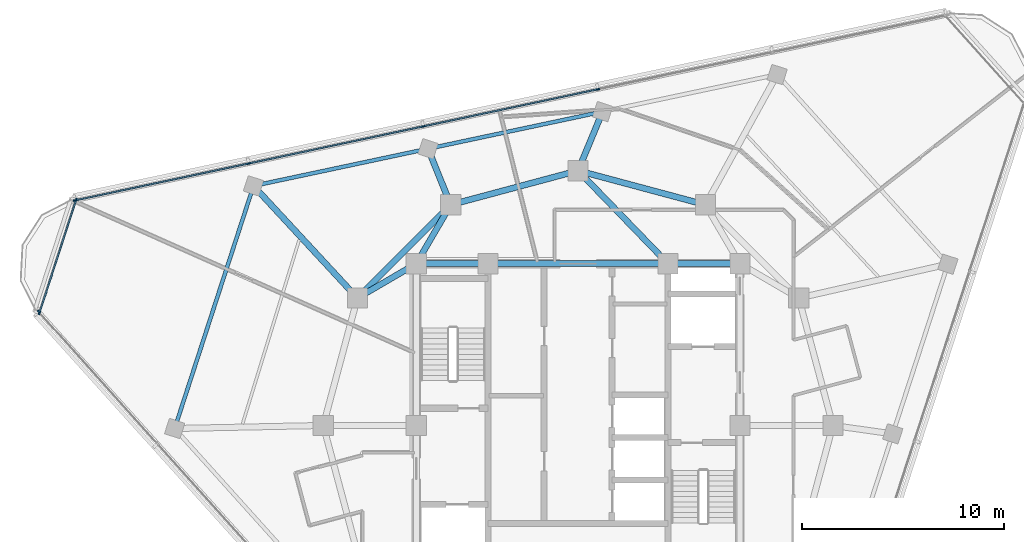
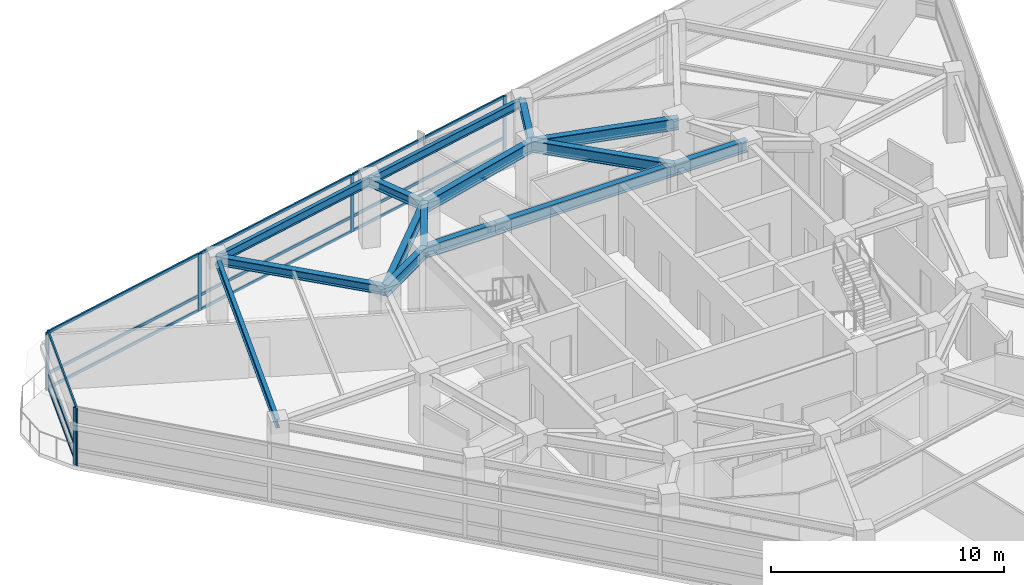
# One storey, part 5 of 15: 19 members, 15 beams, 3 elements without a shape of their own.
"""IFC4 building model written with IfcOpenShell, lengths in metres."""

import ifcopenshell
import ifcopenshell.guid

model = None  # the IFC model being written
_history = None  # IfcOwnerHistory: only IFC2X3 demands one
_inside = {}  # id of a spatial element -> (the spatial element, [elements in it])
_under = {}  # id of a project, library or spatial element -> (it, [spatial elements below it])
_declared = {}  # id of a project -> (the project, [libraries it declares])
_typed = {}  # id of a type object -> (the type object, [elements of that type])
_made_of = {}  # id of a material, layer set ... -> (it, [elements and type objects made of it])


def new_model(schema):
    """Start an empty IFC model of exactly this schema.

    Asked for "IFC4X3", IfcOpenShell would pick the latest addendum, in which some entities
    have other attributes; the version numbers below select the first issue.
    IFC2X3 requires an IfcOwnerHistory on every rooted entity: one is made here for all.
    """
    global model, _history
    if schema == "IFC4X3":
        model = ifcopenshell.file(schema_version=(4, 3, 0, 0))
    else:
        model = ifcopenshell.file(schema=schema)
    _inside.clear()
    _under.clear()
    _declared.clear()
    _typed.clear()
    _made_of.clear()
    _history = None
    if model.schema == "IFC2X3":
        org = make("IfcOrganization", Name="unknown")
        user = make(
            "IfcPersonAndOrganization",
            ThePerson=make("IfcPerson", FamilyName="unknown"),
            TheOrganization=org,
        )
        app = make(
            "IfcApplication",
            ApplicationDeveloper=org,
            Version="unknown",
            ApplicationFullName="unknown",
            ApplicationIdentifier="unknown",
        )
        _history = make(
            "IfcOwnerHistory",
            OwningUser=user,
            OwningApplication=app,
            ChangeAction="ADDED",
            CreationDate=0,
        )
    return model


def make(cls, **values):
    """One entity of the class cls with the attributes given. An attribute that is None is left unset."""
    return model.create_entity(
        cls, **{name: value for name, value in values.items() if value is not None}
    )


def rooted(cls, **values):
    """An entity with a GlobalId (a new one), such as an element, a storey or a relation."""
    return make(cls, GlobalId=ifcopenshell.guid.new(), OwnerHistory=_history, **values)


def si_unit(unit_type, name, prefix=None):
    """IfcSIUnit, for example si_unit("LENGTHUNIT", "METRE", prefix="MILLI")."""
    return make("IfcSIUnit", UnitType=unit_type, Prefix=prefix, Name=name)


def assignment(units):
    """IfcUnitAssignment: the units of a project."""
    return None if units is None else make("IfcUnitAssignment", Units=units)


def point(xyz):
    """IfcCartesianPoint."""
    return None if xyz is None else make("IfcCartesianPoint", Coordinates=xyz)


def direction(xyz):
    """IfcDirection."""
    return None if xyz is None else make("IfcDirection", DirectionRatios=xyz)


def frame(location, z_axis=None, x_axis=None):
    """IfcAxis2Placement3D, a coordinate frame: its origin and axes. An axis left out is left unset."""
    return make(
        "IfcAxis2Placement3D",
        Location=point(location),
        Axis=direction(z_axis),
        RefDirection=direction(x_axis),
    )


def frame_2d(location, x_axis=None):
    """IfcAxis2Placement2D, a coordinate frame in the plane: its origin and x axis."""
    return make(
        "IfcAxis2Placement2D", Location=point(location), RefDirection=direction(x_axis)
    )


def origin():
    """The frame at (0, 0, 0) with its axes left unset."""
    return frame((0.0, 0.0, 0.0))


def origin_2d():
    """The frame at (0, 0) in the plane with its x axis left unset."""
    return frame_2d((0.0, 0.0))


def place(relative_to, where):
    """IfcLocalPlacement: puts the frame where relative to a parent placement (None: the world)."""
    return make(
        "IfcLocalPlacement", PlacementRelTo=relative_to, RelativePlacement=where
    )


def context(
    kind, dimensions, precision=None, world=None, true_north=None, identifier=None
):
    """IfcGeometricRepresentationContext, for example the 3D "Model" context."""
    return make(
        "IfcGeometricRepresentationContext",
        ContextIdentifier=identifier,
        ContextType=kind,
        CoordinateSpaceDimension=dimensions,
        Precision=precision,
        WorldCoordinateSystem=world,
        TrueNorth=true_north,
    )


def subcontext(parent, identifier, kind, view, scale=None):
    """IfcGeometricRepresentationSubContext, for example "Body" below "Model"."""
    return make(
        "IfcGeometricRepresentationSubContext",
        ContextIdentifier=identifier,
        ContextType=kind,
        ParentContext=parent,
        TargetScale=scale,
        TargetView=view,
    )


def project(units=None, contexts=None):
    """IfcProject with its units and contexts."""
    return rooted(
        "IfcProject",
        Name="project",
        RepresentationContexts=contexts,
        UnitsInContext=assignment(units),
    )


def spatial(cls, under=None, at=None, **own):
    """A site, building, storey or space (cls), placed at a placement, below another one or the project."""
    s = rooted(cls, ObjectPlacement=at, **own)
    if under is not None:
        _under.setdefault(under.id(), (under, []))[1].append(s)
    return s


def profile(cls, at=None, kind="AREA", **sizes):
    """A parametric profile (cls). Its sizes go by their IFC names, for example OverallWidth=200.0."""
    return make(cls, ProfileType=kind, Position=at, **sizes)


def rectangle(**sizes):
    """IfcRectangleProfileDef."""
    return profile("IfcRectangleProfileDef", **sizes)


def i_section(**sizes):
    """IfcIShapeProfileDef."""
    return profile("IfcIShapeProfileDef", **sizes)


def extrude(swept, where, along, depth):
    """IfcExtrudedAreaSolid: the profile swept, set in the frame where, extruded along a direction by depth."""
    return make(
        "IfcExtrudedAreaSolid",
        SweptArea=swept,
        Position=where,
        ExtrudedDirection=direction(along),
        Depth=depth,
    )


def shape(context_of_items, identifier, shape_type, items):
    """IfcShapeRepresentation: the items that make up one representation, for example the "Body"."""
    return make(
        "IfcShapeRepresentation",
        ContextOfItems=context_of_items,
        RepresentationIdentifier=identifier,
        RepresentationType=shape_type,
        Items=items,
    )


def material(Name=None, Category=None):
    """IfcMaterial."""
    return make("IfcMaterial", Name=Name, Category=Category)


def layer(
    of_material, thickness, ventilated=None, Name=None, Category=None, Priority=None
):
    """IfcMaterialLayer: one layer of a wall or slab, of a material (None: an air gap)."""
    return make(
        "IfcMaterialLayer",
        Material=of_material,
        LayerThickness=thickness,
        IsVentilated=ventilated,
        Name=Name,
        Category=Category,
        Priority=Priority,
    )


def layer_set(layers, Name=None):
    """IfcMaterialLayerSet."""
    return make("IfcMaterialLayerSet", MaterialLayers=layers, LayerSetName=Name)


def material_profile(
    of_material, cross_section, Name=None, Category=None, Priority=None
):
    """IfcMaterialProfile: a cross section and its material."""
    return make(
        "IfcMaterialProfile",
        Name=Name,
        Material=of_material,
        Profile=cross_section,
        Priority=Priority,
        Category=Category,
    )


def profile_set(profiles, Name=None, composite=None):
    """IfcMaterialProfileSet."""
    return make(
        "IfcMaterialProfileSet",
        Name=Name,
        MaterialProfiles=profiles,
        CompositeProfile=composite,
    )


def made_of(thing, what):
    """Note that an element or type object is made of a material, layer set ...; save() writes the relation."""
    if what is not None:
        _made_of.setdefault(what.id(), (what, []))[1].append(thing)
    return thing


def type_object(cls, material=None, **own):
    """A type object (cls), such as IfcWallType, which elements share."""
    return made_of(rooted(cls, **own), material)


def element(
    cls,
    number,
    at=None,
    inside=None,
    cuts=None,
    type_object=None,
    material=None,
    context=None,
    identifier="Body",
    shape_type=None,
    held_by="IfcProductDefinitionShape",
    body=None,
    shapes=None,
    **own,
):
    """One element of the class cls, such as IfcWall. Its Tag is "e" and its number.

    at: its placement. inside: the storey or other place that contains it. cuts: it is an
    opening in that element (IfcRelVoidsElement). A single representation is given by context,
    identifier, shape_type and body (its items); several are given by shapes. held_by: the class
    of the entity that holds the representations. save() writes the other relations.
    """
    e = rooted(cls, Tag="e%d" % number, ObjectPlacement=at, **own)
    if body is not None:
        shapes = [shape(context, identifier, shape_type, body)]
    if shapes is not None:
        e.Representation = make(held_by, Representations=shapes)
    if inside is not None:
        _inside.setdefault(inside.id(), (inside, []))[1].append(e)
    if cuts is not None:
        rooted(
            "IfcRelVoidsElement", RelatingBuildingElement=cuts, RelatedOpeningElement=e
        )
    if type_object is not None:
        _typed.setdefault(type_object.id(), (type_object, []))[1].append(e)
    return made_of(e, material)


def aggregate(whole, parts):
    """IfcRelAggregates: a whole, such as a stair, and the parts it consists of."""
    return rooted("IfcRelAggregates", RelatingObject=whole, RelatedObjects=parts)


def save(model, path):
    """Write the relations noted so far, then the file.

    IfcRelAggregates (storeys below a building ...), IfcRelContainedInSpatialStructure (elements
    in a storey), IfcRelDefinesByType, IfcRelAssociatesMaterial and IfcRelDeclares: one each for
    every whole, place, type object, material and project.
    """
    for whole, parts in _under.values():
        aggregate(whole, parts)
    for where, things in _inside.values():
        rooted(
            "IfcRelContainedInSpatialStructure",
            RelatedElements=things,
            RelatingStructure=where,
        )
    for kind, things in _typed.values():
        rooted("IfcRelDefinesByType", RelatedObjects=things, RelatingType=kind)
    for what, things in _made_of.values():
        rooted("IfcRelAssociatesMaterial", RelatedObjects=things, RelatingMaterial=what)
    for by, libraries in _declared.values():
        rooted("IfcRelDeclares", RelatingContext=by, RelatedDefinitions=libraries)
    model.write(path)


model = new_model("IFC4")

# Units and contexts
model_context = context("Model", 3, precision=1e-05, world=origin(), true_north=direction((0.0, 1.0)))
body_context = subcontext(model_context, "Body", "Model", "MODEL_VIEW")
ifc_project = project(units=[si_unit("LENGTHUNIT", "METRE"), si_unit("AREAUNIT", "SQUARE_METRE"), si_unit("VOLUMEUNIT", "CUBIC_METRE"), si_unit("PLANEANGLEUNIT", "RADIAN"), si_unit("MASSUNIT", "GRAM", prefix="KILO")], contexts=[model_context])

# Site, building, storey
site_placement = place(None, origin())
site = spatial("IfcSite", under=ifc_project, at=site_placement, CompositionType="ELEMENT")
building_placement = place(site_placement, origin())
building = spatial("IfcBuilding", under=site, at=building_placement, Name="Terralouvre Media Tower", CompositionType="ELEMENT")
storey_placement = place(building_placement, frame((0.0, 0.0, 286.89990234375)))
storey = spatial("IfcBuildingStorey", under=building, at=storey_placement, Name="L74", CompositionType="ELEMENT", Elevation=286.89990234375)

# Curtain wall, members
ifc_material_1 = material(Name="Low-iron laminated double glazing with solar-control coating", Category="glass")
ifc_layer_1 = layer(ifc_material_1, 0.1650390625, Name="Faceted Glass-Point Crown Curtain Wall CW-06")
ifc_layer_set_1 = layer_set([ifc_layer_1], Name="Low-iron laminated double glazing with solar-control coating")
curtain_wall_type_1 = type_object("IfcCurtainWallType", Name="Faceted Glass-Point Crown Curtain Wall CW-06", PredefinedType="NOTDEFINED", material=ifc_layer_set_1)
curtain_wall_1_placement = place(storey_placement, origin())
curtain_wall_1 = element("IfcCurtainWall", 1, at=curtain_wall_1_placement, inside=storey, type_object=curtain_wall_type_1, Name="L74 Facade Curtain Wall F1", PredefinedType="NOTDEFINED")
ifc_material_2 = material(Name="Anodised extruded aluminium 6063-T6", Category="aluminium")
ifc_material_profile_1 = material_profile(ifc_material_2, rectangle(XDim=0.074951171875, YDim=0.14990234375, at=origin_2d()), Name="ALU 75x150")
ifc_profile_set_1 = profile_set([ifc_material_profile_1], Name="Anodised extruded aluminium 6063-T6")
member_type_1 = type_object("IfcMemberType", Name="Curtain-Wall Horizontal Transom TR-150", PredefinedType="USERDEFINED", material=ifc_profile_set_1)
member_1_placement = place(storey_placement, frame((0.940673828125, 16.614990234375, 0.03759765625), z_axis=(-0.978146154485, -0.207918494767, 0.0), x_axis=(0.207918494767, -0.978146154485, 0.0)))
member_1 = element("IfcMember", 2, at=member_1_placement, type_object=member_type_1, Name="CW-06 transom 3.1", ObjectType="TRANSOM", PredefinedType="USERDEFINED", context=body_context, shape_type="SweptSolid", body=[
    extrude(rectangle(XDim=0.074951171875, YDim=0.14990234375, at=origin_2d()), origin(), (0.0, 0.0, 1.0), 8.7490234375),
])
member_2_placement = place(storey_placement, frame((0.940673828125, 16.614990234375, 0.800048828125), z_axis=(-0.978146154485, -0.207918494767, 0.0), x_axis=(0.207918494767, -0.978146154485, 0.0)))
member_2 = element("IfcMember", 3, at=member_2_placement, type_object=member_type_1, Name="CW-06 transom 3.2", ObjectType="TRANSOM", PredefinedType="USERDEFINED", context=body_context, shape_type="SweptSolid", body=[
    extrude(rectangle(XDim=0.074951171875, YDim=0.14990234375, at=origin_2d()), origin(), (0.0, 0.0, 1.0), 8.7490234375),
])
member_3_placement = place(storey_placement, frame((0.940673828125, 16.614990234375, 2.962646484375), z_axis=(-0.978146154485, -0.207918494767, 0.0), x_axis=(0.207918494767, -0.978146154485, 0.0)))
member_3 = element("IfcMember", 4, at=member_3_placement, type_object=member_type_1, Name="CW-06 transom 3.3", ObjectType="TRANSOM", PredefinedType="USERDEFINED", context=body_context, shape_type="SweptSolid", body=[
    extrude(rectangle(XDim=0.074951171875, YDim=0.14990234375, at=origin_2d()), origin(), (0.0, 0.0, 1.0), 8.7490234375),
])
member_4_placement = place(storey_placement, frame((-7.690673828125, 14.7802734375, 0.03759765625), z_axis=(-0.978150623206, -0.207897470697, 0.0), x_axis=(0.207897470697, -0.978150623206, 0.0)))
member_4 = element("IfcMember", 5, at=member_4_placement, type_object=member_type_1, Name="CW-06 transom 4.1", ObjectType="TRANSOM", PredefinedType="USERDEFINED", context=body_context, shape_type="SweptSolid", body=[
    extrude(rectangle(XDim=0.074951171875, YDim=0.14990234375, at=origin_2d()), origin(), (0.0, 0.0, 1.0), 8.748779296875),
])
member_5_placement = place(storey_placement, frame((-7.690673828125, 14.7802734375, 0.800048828125), z_axis=(-0.978150623206, -0.207897470697, 0.0), x_axis=(0.207897470697, -0.978150623206, 0.0)))
member_5 = element("IfcMember", 6, at=member_5_placement, type_object=member_type_1, Name="CW-06 transom 4.2", ObjectType="TRANSOM", PredefinedType="USERDEFINED", context=body_context, shape_type="SweptSolid", body=[
    extrude(rectangle(XDim=0.074951171875, YDim=0.14990234375, at=origin_2d()), origin(), (0.0, 0.0, 1.0), 8.748779296875),
])
member_6_placement = place(storey_placement, frame((-7.690673828125, 14.7802734375, 2.962646484375), z_axis=(-0.978150623206, -0.207897470697, 0.0), x_axis=(0.207897470697, -0.978150623206, 0.0)))
member_6 = element("IfcMember", 7, at=member_6_placement, type_object=member_type_1, Name="CW-06 transom 4.3", ObjectType="TRANSOM", PredefinedType="USERDEFINED", context=body_context, shape_type="SweptSolid", body=[
    extrude(rectangle(XDim=0.074951171875, YDim=0.14990234375, at=origin_2d()), origin(), (0.0, 0.0, 1.0), 8.748779296875),
])
member_7_placement = place(storey_placement, frame((-16.32177734375, 12.94580078125, 0.03759765625), z_axis=(-0.978145600823, -0.207921099436, 0.0), x_axis=(0.207921099436, -0.978145600823, 0.0)))
member_7 = element("IfcMember", 8, at=member_7_placement, type_object=member_type_1, Name="CW-06 transom 5.1", ObjectType="TRANSOM", PredefinedType="USERDEFINED", context=body_context, shape_type="SweptSolid", body=[
    extrude(rectangle(XDim=0.074951171875, YDim=0.14990234375, at=origin_2d()), origin(), (0.0, 0.0, 1.0), 8.71142578125),
])
member_8_placement = place(storey_placement, frame((-16.32177734375, 12.94580078125, 0.800048828125), z_axis=(-0.978145600823, -0.207921099436, 0.0), x_axis=(0.207921099436, -0.978145600823, 0.0)))
member_8 = element("IfcMember", 9, at=member_8_placement, type_object=member_type_1, Name="CW-06 transom 5.2", ObjectType="TRANSOM", PredefinedType="USERDEFINED", context=body_context, shape_type="SweptSolid", body=[
    extrude(rectangle(XDim=0.074951171875, YDim=0.14990234375, at=origin_2d()), origin(), (0.0, 0.0, 1.0), 8.71142578125),
])
member_9_placement = place(storey_placement, frame((-16.32177734375, 12.94580078125, 2.962646484375), z_axis=(-0.978145600823, -0.207921099436, 0.0), x_axis=(0.207921099436, -0.978145600823, 0.0)))
member_9 = element("IfcMember", 10, at=member_9_placement, type_object=member_type_1, Name="CW-06 transom 5.3", ObjectType="TRANSOM", PredefinedType="USERDEFINED", context=body_context, shape_type="SweptSolid", body=[
    extrude(rectangle(XDim=0.074951171875, YDim=0.14990234375, at=origin_2d()), origin(), (0.0, 0.0, 1.0), 8.71142578125),
])

ifc_material_3 = material(Name="Low-iron laminated double glazing with solar-control coating", Category="glass")
ifc_layer_2 = layer(ifc_material_3, 0.1650390625, Name="Rounded Wind-Corner Curved Glazing CW-04")
ifc_layer_set_2 = layer_set([ifc_layer_2], Name="Low-iron laminated double glazing with solar-control coating")
curtain_wall_type_2 = type_object("IfcCurtainWallType", Name="Rounded Wind-Corner Curved Glazing CW-04", PredefinedType="NOTDEFINED", material=ifc_layer_set_2)
curtain_wall_2_placement = place(storey_placement, origin())
curtain_wall_2 = element("IfcCurtainWall", 11, at=curtain_wall_2_placement, inside=storey, type_object=curtain_wall_type_2, Name="L74 Rounded Wind-Corner Curtain Wall C2", PredefinedType="NOTDEFINED")
member_10_placement = place(storey_placement, frame((-24.831298828125, 11.121826171875, 0.03759765625), z_axis=(-0.308980573489, -0.951068349387, 0.0), x_axis=(0.951068349387, -0.308980573489, 0.0)))
member_10 = element("IfcMember", 12, at=member_10_placement, type_object=member_type_1, Name="CW-04 transom 1.1", ObjectType="TRANSOM", PredefinedType="USERDEFINED", context=body_context, shape_type="SweptSolid", body=[
    extrude(rectangle(XDim=0.074951171875, YDim=0.14990234375, at=origin_2d()), origin(), (0.0, 0.0, 1.0), 5.808349609375),
])
member_11_placement = place(storey_placement, frame((-24.831298828125, 11.121826171875, 0.800048828125), z_axis=(-0.308980573489, -0.951068349387, 0.0), x_axis=(0.951068349387, -0.308980573489, 0.0)))
member_11 = element("IfcMember", 13, at=member_11_placement, type_object=member_type_1, Name="CW-04 transom 1.2", ObjectType="TRANSOM", PredefinedType="USERDEFINED", context=body_context, shape_type="SweptSolid", body=[
    extrude(rectangle(XDim=0.074951171875, YDim=0.14990234375, at=origin_2d()), origin(), (0.0, 0.0, 1.0), 5.808349609375),
])
member_12_placement = place(storey_placement, frame((-24.831298828125, 11.121826171875, 2.962646484375), z_axis=(-0.308980573489, -0.951068349387, 0.0), x_axis=(0.951068349387, -0.308980573489, 0.0)))
member_12 = element("IfcMember", 14, at=member_12_placement, type_object=member_type_1, Name="CW-04 transom 1.3", ObjectType="TRANSOM", PredefinedType="USERDEFINED", context=body_context, shape_type="SweptSolid", body=[
    extrude(rectangle(XDim=0.074951171875, YDim=0.14990234375, at=origin_2d()), origin(), (0.0, 0.0, 1.0), 5.808349609375),
])

# Member
ifc_material_4 = material(Name="Anodised extruded aluminium 6063-T6", Category="aluminium")
ifc_material_profile_2 = material_profile(ifc_material_4, rectangle(XDim=0.074951171875, YDim=0.179931640625, at=origin_2d()), Name="ALU 75x180")
ifc_profile_set_2 = profile_set([ifc_material_profile_2], Name="Anodised extruded aluminium 6063-T6")
member_type_2 = type_object("IfcMemberType", Name="Curtain-Wall Vertical Mullion ML-180", PredefinedType="MULLION", material=ifc_profile_set_2)
member_13_placement = place(storey_placement, frame((0.977294921875, 16.622802734375, 0.0), z_axis=(0.0, 0.0, 1.0), x_axis=(0.207911618313, -0.978147616145, 0.0)))
member_13 = element("IfcMember", 15, at=member_13_placement, type_object=member_type_2, Name="CW-06 mullion 3", PredefinedType="MULLION", context=body_context, shape_type="SweptSolid", body=[
    extrude(rectangle(XDim=0.074951171875, YDim=0.179931640625, at=origin_2d()), origin(), (0.0, 0.0, 1.0), 3.0),
])

member_14_placement = place(storey_placement, frame((-7.65380859375, 14.7880859375, 0.0), z_axis=(0.0, 0.0, 1.0), x_axis=(0.207911618313, -0.978147616145, 0.0)))
member_14 = element("IfcMember", 16, at=member_14_placement, type_object=member_type_2, Name="CW-06 mullion 4", PredefinedType="MULLION", context=body_context, shape_type="SweptSolid", body=[
    extrude(rectangle(XDim=0.074951171875, YDim=0.179931640625, at=origin_2d()), origin(), (0.0, 0.0, 1.0), 3.0),
])

member_15_placement = place(storey_placement, frame((-16.28515625, 12.95361328125, 0.0), z_axis=(0.0, 0.0, 1.0), x_axis=(0.207911618313, -0.978147616145, 0.0)))
member_15 = element("IfcMember", 17, at=member_15_placement, type_object=member_type_2, Name="CW-06 mullion 5", PredefinedType="MULLION", context=body_context, shape_type="SweptSolid", body=[
    extrude(rectangle(XDim=0.074951171875, YDim=0.179931640625, at=origin_2d()), origin(), (0.0, 0.0, 1.0), 3.0),
])

member_16_placement = place(storey_placement, frame((-24.879638671875, 11.126708984375, 0.0), z_axis=(0.0, 0.0, 1.0), x_axis=(0.207911618313, -0.978147616145, 0.0)))
member_16 = element("IfcMember", 18, at=member_16_placement, type_object=member_type_2, Name="CW-06 mullion 6", PredefinedType="MULLION", context=body_context, shape_type="SweptSolid", body=[
    extrude(rectangle(XDim=0.074951171875, YDim=0.179931640625, at=origin_2d()), origin(), (0.0, 0.0, 1.0), 3.0),
])

aggregate(curtain_wall_1, [member_13, member_14, member_15, member_16, member_1, member_2, member_3, member_4, member_5, member_6, member_7, member_8, member_9])

# Curtain wall, member
curtain_wall_3_placement = place(storey_placement, origin())
curtain_wall_3 = element("IfcCurtainWall", 19, at=curtain_wall_3_placement, inside=storey, type_object=curtain_wall_type_1, Name="L74 Facade Curtain Wall F2", PredefinedType="NOTDEFINED")
member_17_placement = place(storey_placement, frame((-26.668212890625, 5.6220703125, 0.0), z_axis=(0.0, 0.0, 1.0), x_axis=(0.743144855036, 0.669130573531, 0.0)))
member_17 = element("IfcMember", 20, at=member_17_placement, type_object=member_type_2, Name="CW-06 mullion 1", PredefinedType="MULLION", context=body_context, shape_type="SweptSolid", body=[
    extrude(rectangle(XDim=0.074951171875, YDim=0.179931640625, at=origin_2d()), origin(), (0.0, 0.0, 1.0), 3.0),
])
aggregate(curtain_wall_3, [member_17])

# Member
member_18_placement = place(storey_placement, frame((-24.819580078125, 11.157470703125, 0.0), z_axis=(0.0, 0.0, 1.0), x_axis=(0.951056661679, -0.30901654693, 0.0)))
member_18 = element("IfcMember", 21, at=member_18_placement, type_object=member_type_2, Name="CW-04 mullion 1", PredefinedType="MULLION", context=body_context, shape_type="SweptSolid", body=[
    extrude(rectangle(XDim=0.074951171875, YDim=0.179931640625, at=origin_2d()), origin(), (0.0, 0.0, 1.0), 3.0),
])

member_19_placement = place(storey_placement, frame((-26.6376953125, 5.56201171875, 0.0), z_axis=(0.0, 0.0, 1.0), x_axis=(0.951056661679, -0.30901654693, 0.0)))
member_19 = element("IfcMember", 22, at=member_19_placement, type_object=member_type_2, Name="CW-04 mullion 2", PredefinedType="MULLION", context=body_context, shape_type="SweptSolid", body=[
    extrude(rectangle(XDim=0.074951171875, YDim=0.179931640625, at=origin_2d()), origin(), (0.0, 0.0, 1.0), 3.0),
])

aggregate(curtain_wall_2, [member_18, member_19, member_10, member_11, member_12])

# Beams
ifc_material_5 = material(Name="Structural steel S355J2", Category="steel")
ifc_material_profile_3 = material_profile(ifc_material_5, i_section(OverallWidth=0.18994140625, OverallDepth=0.449951171875, WebThickness=0.009521484375, FlangeThickness=0.0146484375, at=origin_2d()), Name="IPE 450")
ifc_profile_set_3 = profile_set([ifc_material_profile_3], Name="Structural steel S355J2")
beam_type_1 = type_object("IfcBeamType", Name="Perimeter Spandrel Beam SPB-450 (IPE 450)", PredefinedType="SPANDREL", material=ifc_profile_set_3)
for number, where, z_axis, x_axis, name in (
    (23, (1.212158203125, 15.517578125, 3.26513671875), (-0.97814485548, -0.207924605802, 0.0), (0.207924605802, -0.97814485548, 0.0), "L74 Framing Beam BM-L74-PR10"),
    (24, (-7.4189453125, 13.682861328125, 3.26513671875), (-0.97814485548, -0.207924605802, 0.0), (0.207924605802, -0.97814485548, 0.0), "L74 Framing Beam BM-L74-PR11"),
):
    element("IfcBeam", number, at=place(storey_placement, frame(where, z_axis=z_axis, x_axis=x_axis)), inside=storey, type_object=beam_type_1, Name=name, PredefinedType="SPANDREL", context=body_context, shape_type="SweptSolid", body=[
        extrude(i_section(OverallWidth=0.18994140625, OverallDepth=0.449951171875, WebThickness=0.009521484375, FlangeThickness=0.0146484375, at=origin_2d()), origin(), (0.0, 0.0, 1.0), 8.823974609375),
    ])
beam_1_placement = place(storey_placement, frame((-16.050048828125, 11.84814453125, 3.275146484375), z_axis=(-0.309020441102, -0.951055396379, 0.0), x_axis=(0.951055396379, -0.309020441102, 0.0)))
element("IfcBeam", 25, at=beam_1_placement, inside=storey, type_object=beam_type_1, Name="L74 Framing Beam BM-L74-PR12", PredefinedType="SPANDREL", context=body_context, shape_type="SweptSolid", body=[
    extrude(i_section(OverallWidth=0.18994140625, OverallDepth=0.449951171875, WebThickness=0.009521484375, FlangeThickness=0.0146484375, at=origin_2d()), origin(), (0.0, 0.0, 1.0), 12.616943359375),
])
ifc_material_6 = material(Name="Structural steel S355J2", Category="steel")
ifc_material_profile_4 = material_profile(ifc_material_6, i_section(OverallWidth=0.300048828125, OverallDepth=0.449951171875, WebThickness=0.013916015625, FlangeThickness=0.02587890625, at=origin_2d()), Name="HEB 450")
ifc_profile_set_4 = profile_set([ifc_material_profile_4], Name="Structural steel S355J2")
beam_type_2 = type_object("IfcBeamType", Name="Primary Floor Girder B-HEB450 (HEB 450)", PredefinedType="BEAM", material=ifc_profile_set_4)
beam_2_placement = place(storey_placement, frame((0.0, 12.60009765625, 3.26513671875), z_axis=(0.383682372078, 0.923465125143, 0.0), x_axis=(-0.923465125143, 0.383682372078, 0.0)))
element("IfcBeam", 26, at=beam_2_placement, inside=storey, type_object=beam_type_2, Name="L74 Framing Beam BM-L74-RD10", PredefinedType="BEAM", context=body_context, shape_type="SweptSolid", body=[
    extrude(i_section(OverallWidth=0.300048828125, OverallDepth=0.449951171875, WebThickness=0.013916015625, FlangeThickness=0.02587890625, at=origin_2d()), origin(), (0.0, 0.0, 1.0), 3.1591796875),
])
beam_3_placement = place(storey_placement, frame((-6.300048828125, 10.911865234375, 3.26513671875), z_axis=(-0.374417122208, 0.927260383386, 0.0), x_axis=(-0.927260383386, -0.374417122208, 0.0)))
element("IfcBeam", 27, at=beam_3_placement, inside=storey, type_object=beam_type_2, Name="L74 Framing Beam BM-L74-RD11", PredefinedType="BEAM", context=body_context, shape_type="SweptSolid", body=[
    extrude(i_section(OverallWidth=0.300048828125, OverallDepth=0.449951171875, WebThickness=0.013916015625, FlangeThickness=0.02587890625, at=origin_2d()), origin(), (0.0, 0.0, 1.0), 2.98828125),
])
beam_4_placement = place(storey_placement, frame((-10.911865234375, 6.300048828125, 3.275146484375), z_axis=(-0.679483353105, 0.733690924609, 0.0), x_axis=(-0.733690924609, -0.679483353105, 0.0)))
element("IfcBeam", 28, at=beam_4_placement, inside=storey, type_object=beam_type_2, Name="L74 Framing Beam BM-L74-RD12", PredefinedType="BEAM", context=body_context, shape_type="SweptSolid", body=[
    extrude(i_section(OverallWidth=0.300048828125, OverallDepth=0.449951171875, WebThickness=0.013916015625, FlangeThickness=0.02587890625, at=origin_2d()), origin(), (0.0, 0.0, 1.0), 7.56201171875),
])
ifc_material_7 = material(Name="Structural steel S460M", Category="steel")
ifc_material_profile_5 = material_profile(ifc_material_7, i_section(OverallWidth=0.300048828125, OverallDepth=0.60009765625, WebThickness=0.015380859375, FlangeThickness=0.030029296875, at=origin_2d()), Name="HEB 600")
ifc_profile_set_5 = profile_set([ifc_material_profile_5], Name="Structural steel S460M")
beam_type_3 = type_object("IfcBeamType", Name="Primary Floor Girder B-HEB600 (HEB 600)", PredefinedType="BEAM", material=ifc_profile_set_5)
beam_5_placement = place(storey_placement, frame((8.0, 8.0, 3.2001953125), z_axis=(-1.0, 0.0, 0.0), x_axis=(0.0, -1.0, 0.0)))
element("IfcBeam", 29, at=beam_5_placement, inside=storey, type_object=beam_type_3, Name="L74 Framing Beam BM-L74-CPR06", PredefinedType="BEAM", context=body_context, shape_type="SweptSolid", body=[
    extrude(i_section(OverallWidth=0.300048828125, OverallDepth=0.60009765625, WebThickness=0.015380859375, FlangeThickness=0.030029296875, at=origin_2d()), origin(), (0.0, 0.0, 1.0), 3.550048828125),
])
beam_6_placement = place(storey_placement, frame((4.449951171875, 8.0, 3.2001953125), z_axis=(-1.0, 0.0, 0.0), x_axis=(0.0, -1.0, 0.0)))
element("IfcBeam", 30, at=beam_6_placement, inside=storey, type_object=beam_type_3, Name="L74 Framing Beam BM-L74-CPR07", PredefinedType="BEAM", context=body_context, shape_type="SweptSolid", body=[
    extrude(i_section(OverallWidth=0.300048828125, OverallDepth=0.60009765625, WebThickness=0.015380859375, FlangeThickness=0.030029296875, at=origin_2d()), origin(), (0.0, 0.0, 1.0), 8.89990234375),
])
beam_7_placement = place(storey_placement, frame((-4.449951171875, 8.0, 3.2001953125), z_axis=(-1.0, 0.0, 0.0), x_axis=(0.0, -1.0, 0.0)))
element("IfcBeam", 31, at=beam_7_placement, inside=storey, type_object=beam_type_3, Name="L74 Framing Beam BM-L74-CPR08", PredefinedType="BEAM", context=body_context, shape_type="SweptSolid", body=[
    extrude(i_section(OverallWidth=0.300048828125, OverallDepth=0.60009765625, WebThickness=0.015380859375, FlangeThickness=0.030029296875, at=origin_2d()), origin(), (0.0, 0.0, 1.0), 3.550048828125),
])
for number, where, z_axis, x_axis, name in (
    (32, (6.300048828125, 10.911865234375, 3.2001953125), (-0.965920481897, 0.258838989821, 0.0), (-0.258838989821, -0.965920481897, 0.0), "L74 Framing Beam BM-L74-MR08"),
    (33, (0.0, 12.60009765625, 3.2001953125), (-0.965920481897, -0.258838989821, 0.0), (0.258838989821, -0.965920481897, 0.0), "L74 Framing Beam BM-L74-MR09"),
):
    element("IfcBeam", number, at=place(storey_placement, frame(where, z_axis=z_axis, x_axis=x_axis)), inside=storey, type_object=beam_type_3, Name=name, PredefinedType="BEAM", context=body_context, shape_type="SweptSolid", body=[
        extrude(i_section(OverallWidth=0.300048828125, OverallDepth=0.60009765625, WebThickness=0.015380859375, FlangeThickness=0.030029296875, at=origin_2d()), origin(), (0.0, 0.0, 1.0), 6.522216796875),
    ])
beam_8_placement = place(storey_placement, frame((-6.300048828125, 10.911865234375, 3.2001953125), z_axis=(-0.707106781187, -0.707106781187, 0.0), x_axis=(0.707106781187, -0.707106781187, 0.0)))
element("IfcBeam", 34, at=beam_8_placement, inside=storey, type_object=beam_type_3, Name="L74 Framing Beam BM-L74-MR10", PredefinedType="BEAM", context=body_context, shape_type="SweptSolid", body=[
    extrude(i_section(OverallWidth=0.300048828125, OverallDepth=0.60009765625, WebThickness=0.015380859375, FlangeThickness=0.030029296875, at=origin_2d()), origin(), (0.0, 0.0, 1.0), 6.52197265625),
])
beam_9_placement = place(storey_placement, frame((4.449951171875, 8.0, 3.2001953125), z_axis=(-0.695279715726, 0.718739255155, 0.0), x_axis=(-0.718739255155, -0.695279715726, 0.0)))
element("IfcBeam", 35, at=beam_9_placement, inside=storey, type_object=beam_type_3, Name="L74 Framing Beam BM-L74-CM09", PredefinedType="BEAM", context=body_context, shape_type="SweptSolid", body=[
    extrude(i_section(OverallWidth=0.300048828125, OverallDepth=0.60009765625, WebThickness=0.015380859375, FlangeThickness=0.030029296875, at=origin_2d()), origin(), (0.0, 0.0, 1.0), 6.400146484375),
])
for number, where, z_axis, x_axis, name in (
    (36, (-8.0, 8.0, 3.2001953125), (0.504172629717, 0.863602894532, 0.0), (-0.863602894532, 0.504172629717, 0.0), "L74 Framing Beam BM-L74-CM10"),
    (37, (-8.0, 8.0, 3.2001953125), (-0.863602894532, -0.504172629717, 0.0), (0.504172629717, -0.863602894532, 0.0), "L74 Framing Beam BM-L74-CM11"),
):
    element("IfcBeam", number, at=place(storey_placement, frame(where, z_axis=z_axis, x_axis=x_axis)), inside=storey, type_object=beam_type_3, Name=name, PredefinedType="BEAM", context=body_context, shape_type="SweptSolid", body=[
        extrude(i_section(OverallWidth=0.300048828125, OverallDepth=0.60009765625, WebThickness=0.015380859375, FlangeThickness=0.030029296875, at=origin_2d()), origin(), (0.0, 0.0, 1.0), 3.371826171875),
    ])

save(model, "model.ifc")
